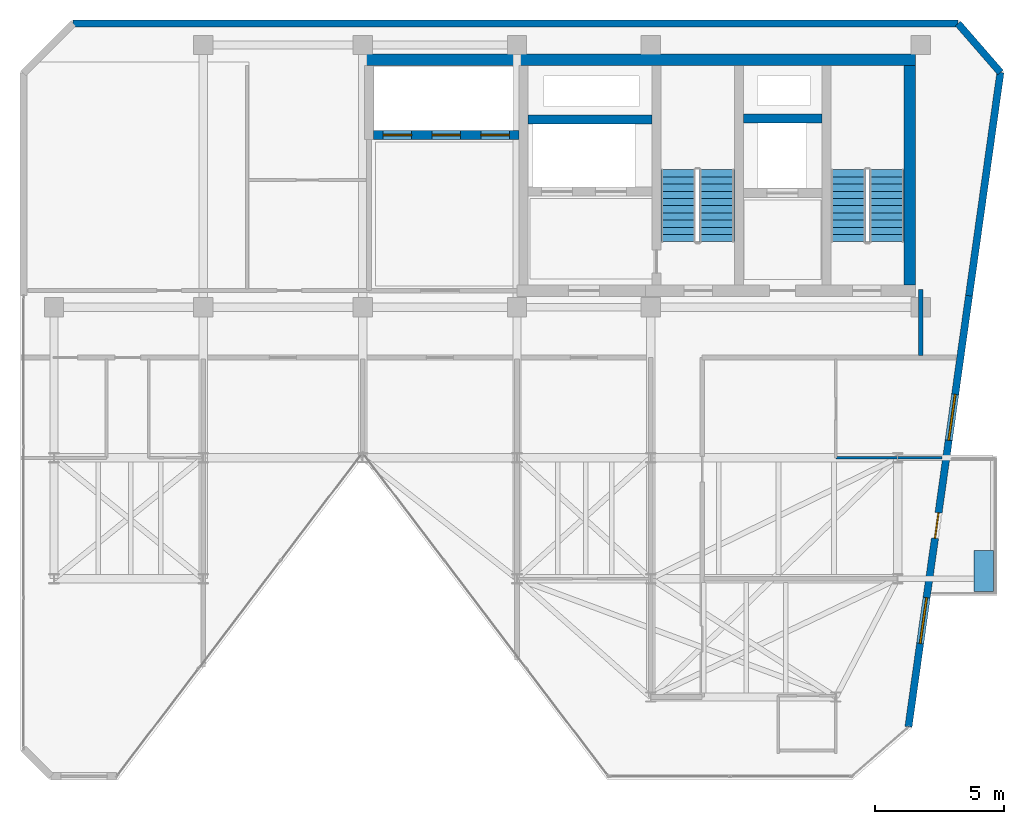
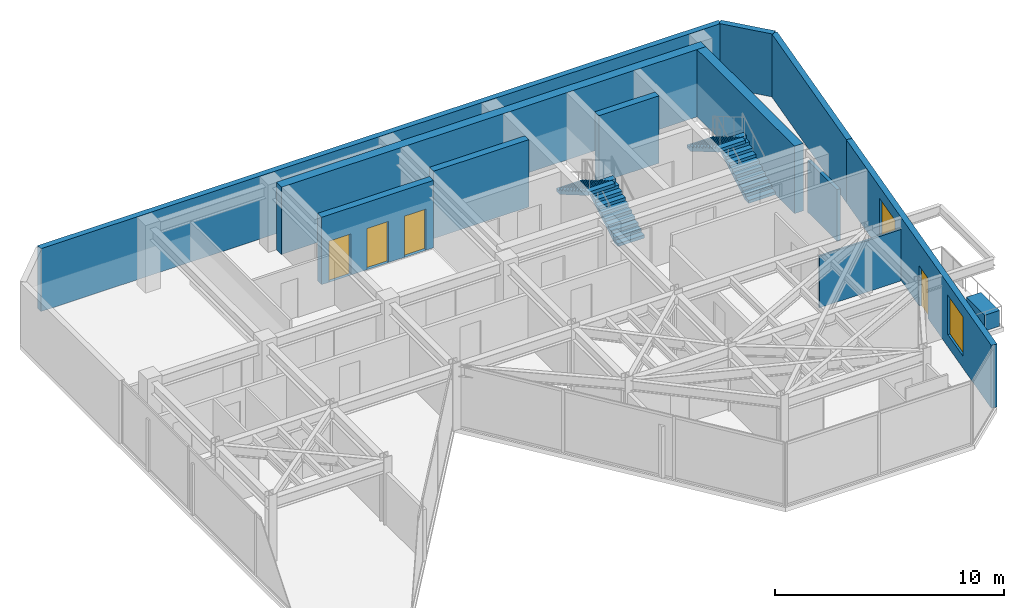
# One storey, part 15 of 17: 11 walls, 4 doors, 4 stair flights, 2 windows, 1 discrete accessory, 6 openings, 2 elements without a shape of their own.
"""IFC4 building model written with IfcOpenShell, lengths in metres."""

from ifc_helpers import new_model, si_unit, direction, frame, frame_2d, origin, origin_2d, place, context, subcontext, project, spatial, polyline, rectangle, outline, extrude, material, layer, layer_set, type_object, element, fill, aggregate, save


model = new_model("IFC4")

# Units and contexts
model_context = context("Model", 3, precision=1e-05, world=origin(), true_north=direction((0.0, 1.0)))
body_context = subcontext(model_context, "Body", "Model", "MODEL_VIEW")
ifc_project = project(units=[si_unit("LENGTHUNIT", "METRE"), si_unit("AREAUNIT", "SQUARE_METRE"), si_unit("VOLUMEUNIT", "CUBIC_METRE"), si_unit("PLANEANGLEUNIT", "RADIAN"), si_unit("MASSUNIT", "GRAM", prefix="KILO")], contexts=[model_context])

# Site, building, storey
site_placement = place(None, origin())
site = spatial("IfcSite", under=ifc_project, at=site_placement, CompositionType="ELEMENT")
building_placement = place(site_placement, origin())
building = spatial("IfcBuilding", under=site, at=building_placement, Name="Kravanh Interchange Tower", CompositionType="ELEMENT")
storey_placement = place(building_placement, frame((0.0, 0.0, 285.89990234375)))
storey = spatial("IfcBuildingStorey", under=building, at=storey_placement, Name="L70", CompositionType="ELEMENT", Elevation=285.89990234375)

# Walls
ifc_material_1 = material(Name="Concrete C60/75", Category="concrete")
ifc_layer_1 = layer(ifc_material_1, 0.35009765625)
ifc_layer_set_1 = layer_set([ifc_layer_1], Name="Core Shear Wall Concrete C60/75 350mm")
wall_type_1 = type_object("IfcWallType", Name="Core Shear Wall Concrete C60/75 350mm", PredefinedType="SHEAR", material=ifc_layer_set_1)
wall_1_placement = place(storey_placement, frame((59.60009765625, 44.699951171875, 0.0), z_axis=(0.0, 0.0, 1.0), x_axis=(1.0, 0.0, 0.0)))
element("IfcWall", 1, at=wall_1_placement, inside=storey, type_object=wall_type_1, Name="L70 Service Lift Shaft North Wall", PredefinedType="SHEAR", context=body_context, shape_type="SweptSolid", body=[
    extrude(rectangle(XDim=3.0498046875, YDim=0.35009765625, at=frame_2d((1.52490234375, 0.0))), origin(), (0.0, 0.0, 1.0), 3.60009765625),
])
wall_2_placement = place(storey_placement, frame((51.22509765625, 44.64990234375, 0.0), z_axis=(0.0, 0.0, 1.0), x_axis=(1.0, 0.0, 0.0)))
element("IfcWall", 2, at=wall_2_placement, inside=storey, type_object=wall_type_1, Name="L70 Fire Lift Shaft North Wall", PredefinedType="SHEAR", context=body_context, shape_type="SweptSolid", body=[
    extrude(rectangle(XDim=4.824951171875, YDim=0.35009765625, at=frame_2d((2.41259765625, 0.0))), origin(), (0.0, 0.0, 1.0), 3.60009765625),
])

# Wall, openings, doors
wall_3_placement = place(storey_placement, frame((45.22509765625, 44.050048828125, 0.0), z_axis=(0.0, 0.0, 1.0), x_axis=(1.0, 0.0, 0.0)))
wall_3 = element("IfcWall", 3, at=wall_3_placement, inside=storey, type_object=wall_type_1, Name="L70 High-Rise Lift Shaft South Wall", PredefinedType="SHEAR", context=body_context, shape_type="SweptSolid", body=[
    extrude(rectangle(XDim=5.64990234375, YDim=0.35009765625, at=frame_2d((2.824951171875, 0.0))), origin(), (0.0, 0.0, 1.0), 3.60009765625),
])
opening_1_placement = place(wall_3_placement, frame((0.375, 0.0, 0.0)))
opening_1 = element("IfcOpeningElement", 4, at=opening_1_placement, cuts=wall_3, Name="Opening LD01", PredefinedType="OPENING", context=body_context, shape_type="SweptSolid", body=[
    extrude(rectangle(XDim=1.10009765625, YDim=2.199951171875, at=frame_2d((0.550048828125, 1.10009765625))), frame((0.0, 0.18505859375, 0.0), z_axis=(0.0, -1.0, 0.0), x_axis=(1.0, 0.0, 0.0)), (0.0, 0.0, 1.0), 0.3701171875),
])
opening_2_placement = place(wall_3_placement, frame((2.27490234375, 0.0, 0.0)))
opening_2 = element("IfcOpeningElement", 5, at=opening_2_placement, cuts=wall_3, Name="Opening LD01", PredefinedType="OPENING", context=body_context, shape_type="SweptSolid", body=[
    extrude(rectangle(XDim=1.10009765625, YDim=2.199951171875, at=frame_2d((0.550048828125, 1.10009765625))), frame((0.0, 0.18505859375, 0.0), z_axis=(0.0, -1.0, 0.0), x_axis=(1.0, 0.0, 0.0)), (0.0, 0.0, 1.0), 0.3701171875),
])
opening_3_placement = place(wall_3_placement, frame((4.175048828125, 0.0, 0.0)))
opening_3 = element("IfcOpeningElement", 6, at=opening_3_placement, cuts=wall_3, Name="Opening LD01", PredefinedType="OPENING", context=body_context, shape_type="SweptSolid", body=[
    extrude(rectangle(XDim=1.10009765625, YDim=2.199951171875, at=frame_2d((0.550048828125, 1.10009765625))), frame((0.0, 0.18505859375, 0.0), z_axis=(0.0, -1.0, 0.0), x_axis=(1.0, 0.0, 0.0)), (0.0, 0.0, 1.0), 0.3701171875),
])
ifc_material_2 = material(Name="Stainless Steel 304", Category="steel")
door_type_1 = type_object("IfcDoorType", Name="Passenger Lift Sliding Landing Door 1100x2200", OperationType="DOUBLE_DOOR_SLIDING", PredefinedType="DOOR", material=ifc_material_2)
door_1_placement = place(opening_1_placement, origin())
door_1 = element("IfcDoor", 7, at=door_1_placement, inside=storey, type_object=door_type_1, Name="L70 Lift LP-H1 Landing Door", OperationType="DOUBLE_DOOR_SLIDING", OverallHeight=2.199951171875, OverallWidth=1.10009765625, PredefinedType="DOOR", context=body_context, shape_type="SweptSolid", body=[
    extrude(rectangle(XDim=1.10009765625, YDim=2.199951171875, at=frame_2d((0.550048828125, 1.10009765625))), frame((0.0, 0.02490234375, 0.0), z_axis=(0.0, -1.0, 0.0), x_axis=(1.0, 0.0, 0.0)), (0.0, 0.0, 1.0), 0.050048828125),
])
fill(opening_1, door_1)
door_2_placement = place(opening_2_placement, origin())
door_2 = element("IfcDoor", 8, at=door_2_placement, inside=storey, type_object=door_type_1, Name="L70 Lift LP-H2 Landing Door", OperationType="DOUBLE_DOOR_SLIDING", OverallHeight=2.199951171875, OverallWidth=1.10009765625, PredefinedType="DOOR", context=body_context, shape_type="SweptSolid", body=[
    extrude(rectangle(XDim=1.10009765625, YDim=2.199951171875, at=frame_2d((0.550048828125, 1.10009765625))), frame((0.0, 0.02490234375, 0.0), z_axis=(0.0, -1.0, 0.0), x_axis=(1.0, 0.0, 0.0)), (0.0, 0.0, 1.0), 0.050048828125),
])
fill(opening_2, door_2)
door_3_placement = place(opening_3_placement, origin())
door_3 = element("IfcDoor", 9, at=door_3_placement, inside=storey, type_object=door_type_1, Name="L70 Lift LP-H3 Landing Door", OperationType="DOUBLE_DOOR_SLIDING", OverallHeight=2.199951171875, OverallWidth=1.10009765625, PredefinedType="DOOR", context=body_context, shape_type="SweptSolid", body=[
    extrude(rectangle(XDim=1.10009765625, YDim=2.199951171875, at=frame_2d((0.550048828125, 1.10009765625))), frame((0.0, 0.02490234375, 0.0), z_axis=(0.0, -1.0, 0.0), x_axis=(1.0, 0.0, 0.0)), (0.0, 0.0, 1.0), 0.050048828125),
])
fill(opening_3, door_3)

# Walls
ifc_material_3 = material(Name="Concrete C60/75", Category="concrete")
ifc_layer_2 = layer(ifc_material_3, 0.449951171875)
ifc_layer_set_2 = layer_set([ifc_layer_2], Name="Core Shear Wall Concrete C60/75 450mm")
wall_type_2 = type_object("IfcWallType", Name="Core Shear Wall Concrete C60/75 450mm", PredefinedType="SHEAR", material=ifc_layer_set_2)
wall_4_placement = place(storey_placement, frame((44.85009765625, 46.97509765625, 0.0), z_axis=(0.0, 0.0, 1.0), x_axis=(1.0, 0.0, 0.0)))
element("IfcWall", 10, at=wall_4_placement, inside=storey, type_object=wall_type_2, Name="L70 North Core Shear Wall", PredefinedType="SHEAR", context=body_context, shape_type="SweptSolid", body=[
    extrude(rectangle(XDim=21.449951171875, YDim=0.449951171875, at=frame_2d((10.72509765625, 0.0))), origin(), (0.0, 0.0, 1.0), 3.60009765625),
])
wall_5_placement = place(storey_placement, frame((66.074951171875, 38.22509765625, 0.0), z_axis=(0.0, 0.0, 1.0), x_axis=(0.0, 1.0, 0.0)))
element("IfcWall", 11, at=wall_5_placement, inside=storey, type_object=wall_type_2, Name="L70 Stair ST1 East Shear Wall", PredefinedType="SHEAR", context=body_context, shape_type="SweptSolid", body=[
    extrude(rectangle(XDim=8.52490234375, YDim=0.449951171875, at=frame_2d((4.262451171875, 0.0))), origin(), (0.0, 0.0, 1.0), 3.60009765625),
])
ifc_material_4 = material(Name="Moisture-Resistant Gypsum Board and Mineral Wool")
ifc_layer_3 = layer(ifc_material_4, 0.10009765625)
ifc_layer_set_3 = layer_set([ifc_layer_3], Name="En-Suite Moisture-Resistant Partition 100mm")
wall_type_3 = type_object("IfcWallType", Name="En-Suite Moisture-Resistant Partition 100mm", PredefinedType="PARTITIONING", material=ifc_layer_set_3)
wall_6_placement = place(storey_placement, frame((63.199951171875, 31.5, 0.0), z_axis=(0.0, 0.0, 1.0), x_axis=(1.0, 0.0, 0.0)))
element("IfcWall", 12, at=wall_6_placement, inside=storey, type_object=wall_type_3, Name="L70 Interior Partition 20", PredefinedType="PARTITIONING", context=body_context, shape_type="SweptSolid", body=[
    extrude(rectangle(XDim=4.123046875, YDim=0.10009765625, at=frame_2d((2.0615234375, 0.0))), origin(), (0.0, 0.0, 1.0), 2.754150390625),
])
ifc_material_5 = material(Name="Insulated Precast Concrete C40/50 with Bronze Cladding", Category="concrete")
ifc_layer_4 = layer(ifc_material_5, 0.280029296875)
ifc_layer_set_4 = layer_set([ifc_layer_4], Name="Exterior Insulated Concrete C40/50 Bronze Spandrel Wall 280mm")
wall_type_4 = type_object("IfcWallType", Name="Exterior Insulated Concrete C40/50 Bronze Spandrel Wall 280mm", PredefinedType="STANDARD", material=ifc_layer_set_4)
wall_7_placement = place(storey_placement, frame((33.5498046875, 48.3798828125, 0.0), z_axis=(0.0, 0.0, 1.0), x_axis=(1.0, 0.0, 0.0)))
element("IfcWall", 13, at=wall_7_placement, inside=storey, type_object=wall_type_4, Name="L70 Exterior Wall 3", PredefinedType="STANDARD", context=body_context, shape_type="SweptSolid", body=[
    extrude(rectangle(XDim=34.3955078125, YDim=0.280029296875, at=frame_2d((17.19775390625, 0.0))), origin(), (0.0, 0.0, 1.0), 3.364990234375),
])
wall_8_placement = place(storey_placement, frame((67.9453125, 48.3798828125, 0.0), z_axis=(0.0, 0.0, 1.0), x_axis=(0.656068147197, -0.75470165379, 0.0)))
element("IfcWall", 14, at=wall_8_placement, inside=storey, type_object=wall_type_4, Name="L70 Exterior Wall 4", PredefinedType="STANDARD", context=body_context, shape_type="SweptSolid", body=[
    extrude(rectangle(XDim=2.514892578125, YDim=0.280029296875, at=frame_2d((1.25732421875, 0.0))), origin(), (0.0, 0.0, 1.0), 3.364990234375),
])
wall_9_placement = place(storey_placement, frame((69.59521484375, 46.48193359375, 0.0), z_axis=(0.0, 0.0, 1.0), x_axis=(-0.139179310088, -0.990267196086, 0.0)))
element("IfcWall", 15, at=wall_9_placement, inside=storey, type_object=wall_type_4, Name="L70 Exterior Wall 5", PredefinedType="STANDARD", context=body_context, shape_type="SweptSolid", body=[
    extrude(rectangle(XDim=8.767333984375, YDim=0.280029296875, at=frame_2d((4.3837890625, 0.0))), origin(), (0.0, 0.0, 1.0), 3.364990234375),
])

# Wall, openings, door, windows
wall_10_placement = place(storey_placement, frame((68.375, 37.800048828125, 0.0), z_axis=(0.0, 0.0, 1.0), x_axis=(-0.139171056495, -0.99026835607, 0.0)))
wall_10 = element("IfcWall", 16, at=wall_10_placement, inside=storey, type_object=wall_type_4, Name="L70 Exterior Wall 6", PredefinedType="STANDARD", context=body_context, shape_type="SweptSolid", body=[
    extrude(rectangle(XDim=16.92333984375, YDim=0.280029296875, at=frame_2d((8.461669921875, 0.0))), origin(), (0.0, 0.0, 1.0), 3.364990234375),
])
opening_4_placement = place(wall_10_placement, frame((8.52099609375, 0.0, 0.0)))
opening_4 = element("IfcOpeningElement", 17, at=opening_4_placement, cuts=wall_10, Name="Opening ED-BAL100", PredefinedType="OPENING", context=body_context, shape_type="SweptSolid", body=[
    extrude(rectangle(XDim=1.0, YDim=2.14990234375, at=frame_2d((0.5, 1.074951171875))), frame((0.0, 0.14990234375, 0.0), z_axis=(0.0, -1.0, 0.0), x_axis=(1.0, 0.0, 0.0)), (0.0, 0.0, 1.0), 0.300048828125),
])
opening_5_placement = place(wall_10_placement, frame((3.87548828125, 0.0, 0.64990234375)))
opening_5 = element("IfcOpeningElement", 18, at=opening_5_placement, cuts=wall_10, Name="Opening WN-180X210", PredefinedType="OPENING", context=body_context, shape_type="SweptSolid", body=[
    extrude(rectangle(XDim=1.800048828125, YDim=2.10009765625, at=frame_2d((0.89990234375, 1.050048828125))), frame((0.0, 0.14990234375, 0.0), z_axis=(0.0, -1.0, 0.0), x_axis=(1.0, 0.0, 0.0)), (0.0, 0.0, 1.0), 0.300048828125),
])
opening_6_placement = place(wall_10_placement, frame((11.851806640625, 0.0, 0.64990234375)))
opening_6 = element("IfcOpeningElement", 19, at=opening_6_placement, cuts=wall_10, Name="Opening WN-180X210", PredefinedType="OPENING", context=body_context, shape_type="SweptSolid", body=[
    extrude(rectangle(XDim=1.800048828125, YDim=2.10009765625, at=frame_2d((0.89990234375, 1.050048828125))), frame((0.0, 0.14990234375, 0.0), z_axis=(0.0, -1.0, 0.0), x_axis=(1.0, 0.0, 0.0)), (0.0, 0.0, 1.0), 0.300048828125),
])
ifc_material_6 = material(Name="Thermally Broken Bronze Aluminium and Laminated Glass", Category="aluminium")
door_type_2 = type_object("IfcDoorType", Name="Balcony Glazed Door 1000x2150", OperationType="NOTDEFINED", PredefinedType="DOOR", material=ifc_material_6)
door_4_placement = place(opening_4_placement, origin())
door_4 = element("IfcDoor", 20, at=door_4_placement, inside=storey, type_object=door_type_2, Name="L70 E Tree Balcony Access Door", OperationType="SINGLE_SWING_RIGHT", OverallHeight=2.14990234375, OverallWidth=1.0, PredefinedType="DOOR", context=body_context, shape_type="SweptSolid", body=[
    extrude(rectangle(XDim=1.0, YDim=2.14990234375, at=frame_2d((0.5, 1.074951171875))), frame((0.0, 0.02490234375, 0.0), z_axis=(0.0, -1.0, 0.0), x_axis=(1.0, 0.0, 0.0)), (0.0, 0.0, 1.0), 0.050048828125),
])
fill(opening_4, door_4)
ifc_material_7 = material(Name="Thermally Broken Bronze Aluminium and Low-E Glass", Category="aluminium")
window_type = type_object("IfcWindowType", Name="Tower Pier Window 1800x2100", PartitioningType="SINGLE_PANEL", PredefinedType="WINDOW", material=ifc_material_7)
window_1_placement = place(opening_5_placement, origin())
window_1 = element("IfcWindow", 21, at=window_1_placement, inside=storey, type_object=window_type, Name="L70 Facade Window 6A", OverallHeight=2.10009765625, OverallWidth=1.800048828125, PartitioningType="SINGLE_PANEL", PredefinedType="WINDOW", context=body_context, shape_type="SweptSolid", body=[
    extrude(rectangle(XDim=1.800048828125, YDim=2.10009765625, at=frame_2d((0.89990234375, 1.050048828125))), frame((0.0, 0.030029296875, 0.0), z_axis=(0.0, -1.0, 0.0), x_axis=(1.0, 0.0, 0.0)), (0.0, 0.0, 1.0), 0.06005859375),
])
fill(opening_5, window_1)
window_2_placement = place(opening_6_placement, origin())
window_2 = element("IfcWindow", 22, at=window_2_placement, inside=storey, type_object=window_type, Name="L70 Facade Window 6B", OverallHeight=2.10009765625, OverallWidth=1.800048828125, PartitioningType="SINGLE_PANEL", PredefinedType="WINDOW", context=body_context, shape_type="SweptSolid", body=[
    extrude(rectangle(XDim=1.800048828125, YDim=2.10009765625, at=frame_2d((0.89990234375, 1.050048828125))), frame((0.0, 0.030029296875, 0.0), z_axis=(0.0, -1.0, 0.0), x_axis=(1.0, 0.0, 0.0)), (0.0, 0.0, 1.0), 0.06005859375),
])
fill(opening_6, window_2)

# Wall
ifc_material_8 = material(Name="Autoclaved Aerated Concrete C30/37 Blockwork", Category="masonry")
ifc_layer_5 = layer(ifc_material_8, 0.179931640625)
ifc_layer_set_5 = layer_set([ifc_layer_5], Name="Fire-Rated Lobby and Corridor Wall Concrete C30/37 180mm")
wall_type_5 = type_object("IfcWallType", Name="Fire-Rated Lobby and Corridor Wall Concrete C30/37 180mm", PredefinedType="STANDARD", material=ifc_layer_set_5)
wall_11_placement = place(storey_placement, frame((66.5, 35.468017578125, 0.0), z_axis=(0.0, 0.0, 1.0), x_axis=(0.0, 1.0, 0.0)))
element("IfcWall", 23, at=wall_11_placement, inside=storey, type_object=wall_type_5, Name="L70 Interior Partition 9", PredefinedType="STANDARD", context=body_context, shape_type="SweptSolid", body=[
    extrude(rectangle(XDim=2.58203125, YDim=0.179931640625, at=frame_2d((1.291015625, 0.0))), origin(), (0.0, 0.0, 1.0), 2.754150390625),
])

# Stair, stair flights
ifc_material_9 = material(Name="Concrete C50/60", Category="concrete")
stair_type = type_object("IfcStairType", Name="Core Fire Exit Dogleg Stair Concrete C50/60", PredefinedType="HALF_TURN_STAIR", material=ifc_material_9)
stair_1_placement = place(storey_placement, origin())
stair_1 = element("IfcStair", 24, at=stair_1_placement, inside=storey, type_object=stair_type, Name="L70 Exit Stair ST1", PredefinedType="HALF_TURN_STAIR")
ifc_material_10 = material(Name="Precast Concrete C50/60", Category="concrete")
ifc_layer_6 = layer(ifc_material_10, 0.199951171875)
ifc_layer_set_6 = layer_set([ifc_layer_6], Name="Precast Concrete C50/60 Stair Flight 1350mm")
stair_flight_type = type_object("IfcStairFlightType", Name="Precast Concrete C50/60 Stair Flight 1350mm", PredefinedType="STRAIGHT", material=ifc_layer_set_6)
stair_flight_1_placement = place(storey_placement, frame((65.175048828125, 39.89990234375, 0.0), z_axis=(0.0, 0.0, 1.0), x_axis=(0.0, 1.0, 0.0)))
stair_flight_1 = element("IfcStairFlight", 25, at=stair_flight_1_placement, type_object=stair_flight_type, Name="ST1 flight 1", NumberOfRisers=11, NumberOfTreads=10, PredefinedType="STRAIGHT", RiserHeight=0.163636364, TreadLength=0.28, context=body_context, shape_type="SweptSolid", body=[
    extrude(outline(polyline([(0.0, 0.0), (0.0, 0.16357421875), (0.280029296875, 0.16357421875), (0.280029296875, 0.327392578125), (0.56005859375, 0.327392578125), (0.56005859375, 0.490966796875), (0.840087890625, 0.490966796875), (0.840087890625, 0.654541015625), (1.1201171875, 0.654541015625), (1.1201171875, 0.818115234375), (1.39990234375, 0.818115234375), (1.39990234375, 0.98193359375), (1.679931640625, 0.98193359375), (1.679931640625, 1.1455078125), (1.9599609375, 1.1455078125), (1.9599609375, 1.30908203125), (2.239990234375, 1.30908203125), (2.239990234375, 1.47265625), (2.52001953125, 1.47265625), (2.52001953125, 1.636474609375), (2.800048828125, 1.636474609375), (2.800048828125, 1.800048828125), (2.800048828125, 1.462646484375), (0.297119140625, 0.0), (0.0, 0.0)])), frame((0.0, 0.675048828125, 0.0), z_axis=(0.0, -1.0, 0.0), x_axis=(1.0, 0.0, 0.0)), (0.0, 0.0, 1.0), 1.35009765625),
])
stair_flight_2_placement = place(storey_placement, frame((63.675048828125, 42.699951171875, 1.800048828125), z_axis=(0.0, 0.0, 1.0), x_axis=(0.0, -1.0, 0.0)))
stair_flight_2 = element("IfcStairFlight", 26, at=stair_flight_2_placement, type_object=stair_flight_type, Name="ST1 flight 2", NumberOfRisers=11, NumberOfTreads=10, PredefinedType="STRAIGHT", RiserHeight=0.163636364, TreadLength=0.28, context=body_context, shape_type="SweptSolid", body=[
    extrude(outline(polyline([(0.0, 0.0), (0.0, 0.16357421875), (0.280029296875, 0.16357421875), (0.280029296875, 0.327392578125), (0.56005859375, 0.327392578125), (0.56005859375, 0.490966796875), (0.840087890625, 0.490966796875), (0.840087890625, 0.654541015625), (1.1201171875, 0.654541015625), (1.1201171875, 0.818115234375), (1.39990234375, 0.818115234375), (1.39990234375, 0.98193359375), (1.679931640625, 0.98193359375), (1.679931640625, 1.1455078125), (1.9599609375, 1.1455078125), (1.9599609375, 1.30908203125), (2.239990234375, 1.30908203125), (2.239990234375, 1.47265625), (2.52001953125, 1.47265625), (2.52001953125, 1.636474609375), (2.800048828125, 1.636474609375), (2.800048828125, 1.800048828125), (2.800048828125, 1.462646484375), (0.297119140625, 0.0), (0.0, 0.0)])), frame((0.0, 0.675048828125, 0.0), z_axis=(0.0, -1.0, 0.0), x_axis=(1.0, 0.0, 0.0)), (0.0, 0.0, 1.0), 1.35009765625),
])
aggregate(stair_1, [stair_flight_1, stair_flight_2])

stair_2_placement = place(storey_placement, origin())
stair_2 = element("IfcStair", 27, at=stair_2_placement, inside=storey, type_object=stair_type, Name="L70 Exit Stair ST2", PredefinedType="HALF_TURN_STAIR")
stair_flight_3_placement = place(storey_placement, frame((58.574951171875, 39.89990234375, 0.0), z_axis=(0.0, 0.0, 1.0), x_axis=(0.0, 1.0, 0.0)))
stair_flight_3 = element("IfcStairFlight", 28, at=stair_flight_3_placement, type_object=stair_flight_type, Name="ST2 flight 1", NumberOfRisers=11, NumberOfTreads=10, PredefinedType="STRAIGHT", RiserHeight=0.163636364, TreadLength=0.28, context=body_context, shape_type="SweptSolid", body=[
    extrude(outline(polyline([(0.0, 0.0), (0.0, 0.16357421875), (0.280029296875, 0.16357421875), (0.280029296875, 0.327392578125), (0.56005859375, 0.327392578125), (0.56005859375, 0.490966796875), (0.840087890625, 0.490966796875), (0.840087890625, 0.654541015625), (1.1201171875, 0.654541015625), (1.1201171875, 0.818115234375), (1.39990234375, 0.818115234375), (1.39990234375, 0.98193359375), (1.679931640625, 0.98193359375), (1.679931640625, 1.1455078125), (1.9599609375, 1.1455078125), (1.9599609375, 1.30908203125), (2.239990234375, 1.30908203125), (2.239990234375, 1.47265625), (2.52001953125, 1.47265625), (2.52001953125, 1.636474609375), (2.800048828125, 1.636474609375), (2.800048828125, 1.800048828125), (2.800048828125, 1.462646484375), (0.297119140625, 0.0), (0.0, 0.0)])), frame((0.0, 0.675048828125, 0.0), z_axis=(0.0, -1.0, 0.0), x_axis=(1.0, 0.0, 0.0)), (0.0, 0.0, 1.0), 1.35009765625),
])
stair_flight_4_placement = place(storey_placement, frame((57.074951171875, 42.699951171875, 1.800048828125), z_axis=(0.0, 0.0, 1.0), x_axis=(0.0, -1.0, 0.0)))
stair_flight_4 = element("IfcStairFlight", 29, at=stair_flight_4_placement, type_object=stair_flight_type, Name="ST2 flight 2", NumberOfRisers=11, NumberOfTreads=10, PredefinedType="STRAIGHT", RiserHeight=0.163636364, TreadLength=0.28, context=body_context, shape_type="SweptSolid", body=[
    extrude(outline(polyline([(0.0, 0.0), (0.0, 0.16357421875), (0.280029296875, 0.16357421875), (0.280029296875, 0.327392578125), (0.56005859375, 0.327392578125), (0.56005859375, 0.490966796875), (0.840087890625, 0.490966796875), (0.840087890625, 0.654541015625), (1.1201171875, 0.654541015625), (1.1201171875, 0.818115234375), (1.39990234375, 0.818115234375), (1.39990234375, 0.98193359375), (1.679931640625, 0.98193359375), (1.679931640625, 1.1455078125), (1.9599609375, 1.1455078125), (1.9599609375, 1.30908203125), (2.239990234375, 1.30908203125), (2.239990234375, 1.47265625), (2.52001953125, 1.47265625), (2.52001953125, 1.636474609375), (2.800048828125, 1.636474609375), (2.800048828125, 1.800048828125), (2.800048828125, 1.462646484375), (0.297119140625, 0.0), (0.0, 0.0)])), frame((0.0, 0.675048828125, 0.0), z_axis=(0.0, -1.0, 0.0), x_axis=(1.0, 0.0, 0.0)), (0.0, 0.0, 1.0), 1.35009765625),
])
aggregate(stair_2, [stair_flight_3, stair_flight_4])

# Discrete accessory
ifc_material_11 = material(Name="Architectural GRC Concrete C40/50 with Root Barrier", Category="concrete")
discrete_accessory_type = type_object("IfcDiscreteAccessoryType", Name="Structural Balcony Tree Planter Box Concrete C40/50 1600x750x850", PredefinedType="USERDEFINED", material=ifc_material_11)
discrete_accessory_placement = place(storey_placement, frame((68.947998046875, 27.10009765625, 0.0), z_axis=(0.0, 0.0, 1.0), x_axis=(1.0, 0.0, 0.0)))
element("IfcDiscreteAccessory", 30, at=discrete_accessory_placement, inside=storey, type_object=discrete_accessory_type, Name="L70 E Balcony TREE PLANTER", ObjectType="PLANTER", PredefinedType="USERDEFINED", context=body_context, shape_type="SweptSolid", body=[
    extrude(rectangle(XDim=0.75, YDim=1.60009765625, at=origin_2d()), origin(), (0.0, 0.0, 1.0), 0.85009765625),
])

save(model, "model.ifc")
